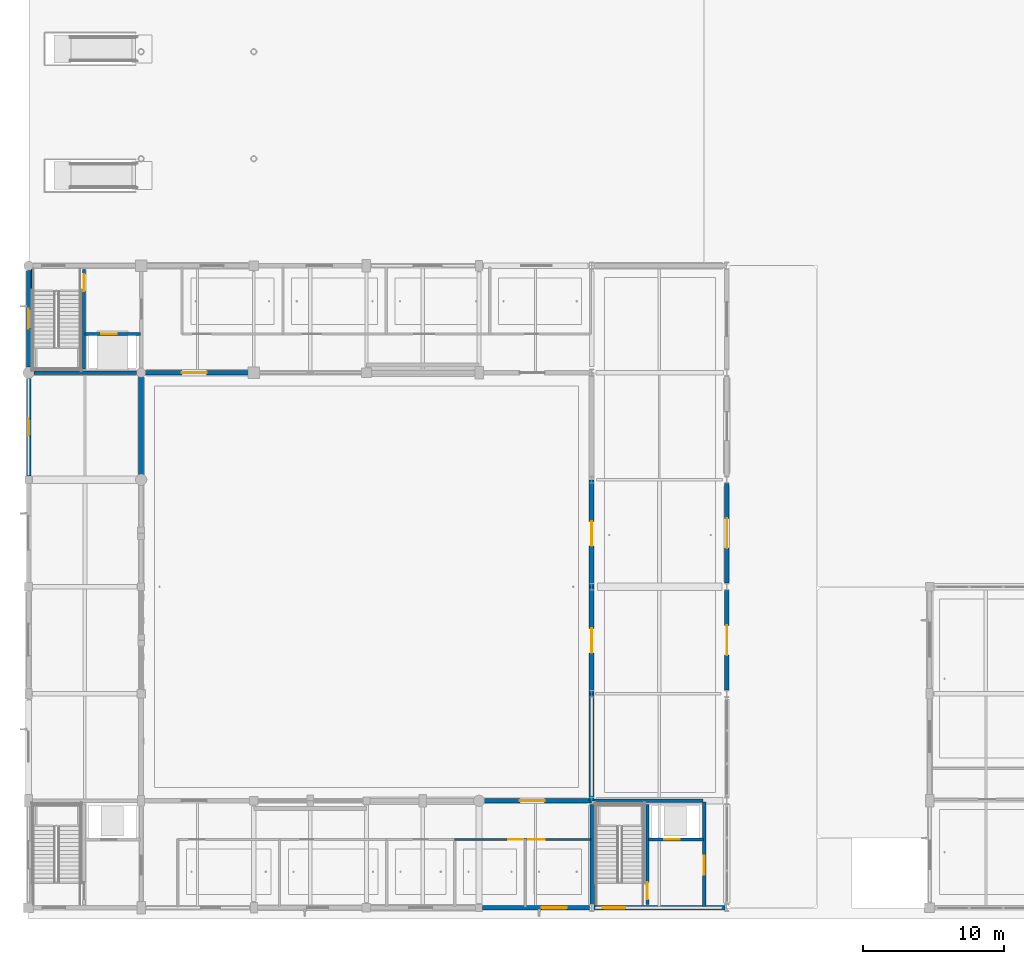
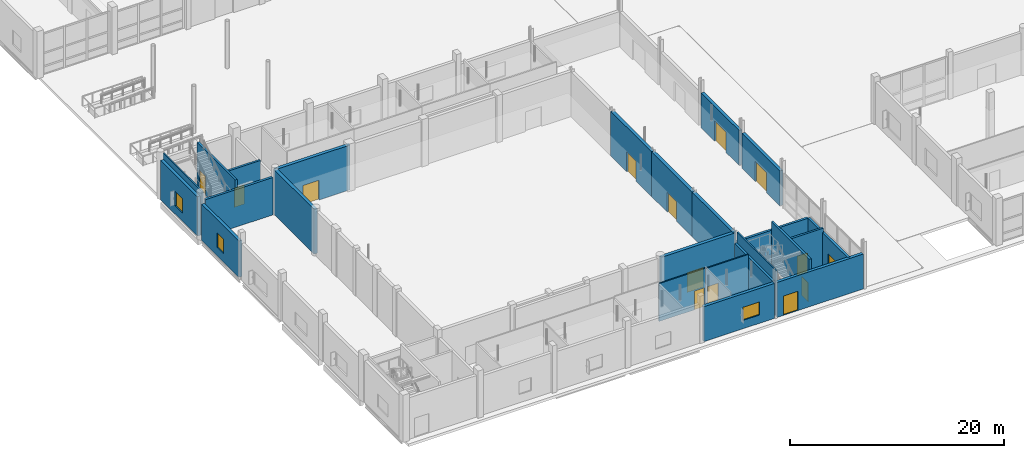
# One storey, part 60 of 126: 24 walls, 14 doors, 3 windows, 17 openings.
"""IFC4 building model written with IfcOpenShell, lengths in metres."""

from ifc_helpers import new_model, si_unit, direction, frame, frame_2d, origin, place, context, subcontext, project, spatial, rectangle, extrude, material, layer, layer_set, type_object, element, fill, save


model = new_model("IFC4")

# Units and contexts
model_context = context("Model", 3, precision=1e-05, world=origin(), true_north=direction((0.0, 1.0)))
body_context = subcontext(model_context, "Body", "Model", "MODEL_VIEW")
ifc_project = project(units=[si_unit("LENGTHUNIT", "METRE"), si_unit("AREAUNIT", "SQUARE_METRE"), si_unit("VOLUMEUNIT", "CUBIC_METRE"), si_unit("PLANEANGLEUNIT", "RADIAN"), si_unit("MASSUNIT", "GRAM", prefix="KILO")], contexts=[model_context])

# Site, building, storey
site_placement = place(None, origin())
site = spatial("IfcSite", under=ifc_project, at=site_placement, CompositionType="ELEMENT")
building_placement = place(site_placement, origin())
building = spatial("IfcBuilding", under=site, at=building_placement, Name="Khelvaren Railside Concert Hall", CompositionType="ELEMENT")
storey_placement = place(building_placement, origin())
storey = spatial("IfcBuildingStorey", under=building, at=storey_placement, Name="L00", CompositionType="ELEMENT", Elevation=0.0)

# Walls
ifc_material_1 = material(Name="Concrete C40/50", Category="concrete")
ifc_layer_1 = layer(ifc_material_1, 0.139892578125)
ifc_layer_set_1 = layer_set([ifc_layer_1], Name="Concrete C40/50")
wall_type_1 = type_object("IfcWallType", Name="CW17", PredefinedType="SOLIDWALL", material=ifc_layer_set_1)
for number, where, z_axis, x_axis, name in (
    (1, (40.27490234375, 0.14990234375, 0.0), (0.0, 0.0, 1.0), (0.0, 1.0, 0.0), "Core Shaft Structural Liner Wall ST-02-L00"),
    (2, (0.27490234375, 38.14990234375, 0.0), (0.0, 0.0, 1.0), (0.0, 1.0, 0.0), "Core Shaft Structural Liner Wall ST-11-L00"),
):
    element("IfcWall", number, at=place(storey_placement, frame(where, z_axis=z_axis, x_axis=x_axis)), inside=storey, type_object=wall_type_1, Name=name, PredefinedType="SOLIDWALL", context=body_context, shape_type="SweptSolid", body=[
        extrude(rectangle(XDim=7.300048828125, YDim=0.139892578125, at=frame_2d((3.64990234375, 0.0))), origin(), (0.0, 0.0, 1.0), 5.10009765625),
    ])
ifc_layer_2 = layer(ifc_material_1, 0.25)
ifc_layer_set_2 = layer_set([ifc_layer_2], Name="Concrete C40/50")
wall_type_2 = type_object("IfcWallType", Name="CW82", PredefinedType="SOLIDWALL", material=ifc_layer_set_2)
wall_1_placement = place(storey_placement, frame((40.0, 0.25, 0.0), z_axis=(0.0, 0.0, 1.0), x_axis=(0.0, 1.0, 0.0)))
element("IfcWall", 3, at=wall_1_placement, inside=storey, type_object=wall_type_2, Name="Core Enclosure Wall CWALL-ST-02-L00-W", PredefinedType="SOLIDWALL", context=body_context, shape_type="SweptSolid", body=[
    extrude(rectangle(XDim=7.10009765625, YDim=0.25, at=frame_2d((3.550048828125, 0.0))), origin(), (0.0, 0.0, 1.0), 3.989990234375),
])
wall_2_placement = place(storey_placement, frame((40.14990234375, 7.60009765625, 0.0), z_axis=(0.0, 0.0, 1.0), x_axis=(1.0, 0.0, 0.0)))
element("IfcWall", 4, at=wall_2_placement, inside=storey, type_object=wall_type_2, Name="Core Enclosure Wall CWALL-ST-02-L00-N", PredefinedType="SOLIDWALL", context=body_context, shape_type="SweptSolid", body=[
    extrude(rectangle(XDim=7.77001953125, YDim=0.25, at=frame_2d((3.885009765625, 0.0))), origin(), (0.0, 0.0, 1.0), 3.989990234375),
])

# Wall, opening, door
wall_3_placement = place(storey_placement, frame((48.0, 0.080078125, 0.0), z_axis=(0.0, 0.0, 1.0), x_axis=(0.0, 1.0, 0.0)))
wall_3 = element("IfcWall", 5, at=wall_3_placement, inside=storey, type_object=wall_type_2, Name="Core Enclosure Wall CWALL-ST-02-L00-E", PredefinedType="SOLIDWALL", context=body_context, shape_type="SweptSolid", body=[
    extrude(rectangle(XDim=7.43994140625, YDim=0.25, at=frame_2d((3.719970703125, 0.0))), origin(), (0.0, 0.0, 1.0), 3.989990234375),
])
opening_1_placement = place(wall_3_placement, frame((2.27001953125, 0.0, 0.0)))
opening_1 = element("IfcOpeningElement", 6, at=opening_1_placement, cuts=wall_3, Name="Opening FDR34", PredefinedType="OPENING", context=body_context, shape_type="SweptSolid", body=[
    extrude(rectangle(XDim=1.35009765625, YDim=2.199951171875, at=frame_2d((0.675048828125, 1.10009765625))), frame((0.0, 0.135009765625, 0.0), z_axis=(0.0, -1.0, 0.0), x_axis=(1.0, 0.0, 0.0)), (0.0, 0.0, 1.0), 0.27001953125),
])
ifc_material_2 = material(Name="Acoustic fire-rated timber-core steel frame door", Category="steel")
door_type_1 = type_object("IfcDoorType", Name="FDR34", OperationType="NOTDEFINED", PredefinedType="DOOR", material=ifc_material_2)
door_1_placement = place(opening_1_placement, origin())
door_1 = element("IfcDoor", 7, at=door_1_placement, inside=storey, type_object=door_type_1, Name="Interior Door DR-ST-02-L00-LOB", OperationType="SINGLE_SWING_LEFT", OverallHeight=2.199951171875, OverallWidth=1.35009765625, PredefinedType="DOOR", context=body_context, shape_type="SweptSolid", body=[
    extrude(rectangle(XDim=1.35009765625, YDim=2.199951171875, at=frame_2d((0.675048828125, 1.10009765625))), frame((0.0, 0.02490234375, 0.0), z_axis=(0.0, -1.0, 0.0), x_axis=(1.0, 0.0, 0.0)), (0.0, 0.0, 1.0), 0.050048828125),
])
fill(opening_1, door_1)

# Wall
wall_4_placement = place(storey_placement, frame((0.39990234375, 38.0, 0.0), z_axis=(0.0, 0.0, 1.0), x_axis=(1.0, 0.0, 0.0)))
element("IfcWall", 8, at=wall_4_placement, inside=storey, type_object=wall_type_2, Name="Core Enclosure Wall CWALL-ST-11-L00-S", PredefinedType="SOLIDWALL", context=body_context, shape_type="SweptSolid", body=[
    extrude(rectangle(XDim=7.275146484375, YDim=0.25, at=frame_2d((3.6376953125, 0.0))), origin(), (0.0, 0.0, 1.0), 4.27490234375),
])

# Wall, opening, door
ifc_layer_3 = layer(ifc_material_1, 0.219970703125)
ifc_layer_set_3 = layer_set([ifc_layer_3], Name="Concrete C40/50")
wall_type_3 = type_object("IfcWallType", Name="CW97", PredefinedType="SOLIDWALL", material=ifc_layer_set_3)
wall_5_placement = place(storey_placement, frame((43.949951171875, 0.25, 0.0), z_axis=(0.0, 0.0, 1.0), x_axis=(0.0, 1.0, 0.0)))
wall_5 = element("IfcWall", 9, at=wall_5_placement, inside=storey, type_object=wall_type_3, Name="Core Enclosure Wall CWALL-ST-02-L00-MID", PredefinedType="SOLIDWALL", context=body_context, shape_type="SweptSolid", body=[
    extrude(rectangle(XDim=7.10009765625, YDim=0.219970703125, at=frame_2d((3.550048828125, 0.0))), origin(), (0.0, 0.0, 1.0), 5.10009765625),
])
opening_2_placement = place(wall_5_placement, frame((0.35009765625, 0.0, 0.0)))
opening_2 = element("IfcOpeningElement", 10, at=opening_2_placement, cuts=wall_5, Name="Opening FDR17", PredefinedType="OPENING", context=body_context, shape_type="SweptSolid", body=[
    extrude(rectangle(XDim=1.199951171875, YDim=2.14990234375, at=frame_2d((0.60009765625, 1.074951171875))), frame((0.0, 0.119873046875, 0.0), z_axis=(0.0, -1.0, 0.0), x_axis=(1.0, 0.0, 0.0)), (0.0, 0.0, 1.0), 0.239990234375),
])
door_type_2 = type_object("IfcDoorType", Name="FDR17", OperationType="NOTDEFINED", PredefinedType="DOOR", material=ifc_material_2)
door_2_placement = place(opening_2_placement, origin())
door_2 = element("IfcDoor", 11, at=door_2_placement, inside=storey, type_object=door_type_2, Name="Interior Door DR-ST-02-L00-ST", OperationType="SINGLE_SWING_RIGHT", OverallHeight=2.14990234375, OverallWidth=1.199951171875, PredefinedType="DOOR", context=body_context, shape_type="SweptSolid", body=[
    extrude(rectangle(XDim=1.199951171875, YDim=2.14990234375, at=frame_2d((0.60009765625, 1.074951171875))), frame((0.0, 0.02490234375, 0.0), z_axis=(0.0, -1.0, 0.0), x_axis=(1.0, 0.0, 0.0)), (0.0, 0.0, 1.0), 0.050048828125),
])
fill(opening_2, door_2)

wall_6_placement = place(storey_placement, frame((44.02001953125, 4.85009765625, 0.0), z_axis=(0.0, 0.0, 1.0), x_axis=(1.0, 0.0, 0.0)))
wall_6 = element("IfcWall", 12, at=wall_6_placement, inside=storey, type_object=wall_type_3, Name="Core Enclosure Wall CWALL-ST-02-L00-SHF", PredefinedType="SOLIDWALL", context=body_context, shape_type="SweptSolid", body=[
    extrude(rectangle(XDim=3.929931640625, YDim=0.219970703125, at=frame_2d((1.96484375, 0.0))), origin(), (0.0, 0.0, 1.0), 4.485107421875),
])
opening_3_placement = place(wall_6_placement, frame((1.14990234375, 0.0, 0.0)))
opening_3 = element("IfcOpeningElement", 13, at=opening_3_placement, cuts=wall_6, Name="Opening LD-PL-01", PredefinedType="OPENING", context=body_context, shape_type="SweptSolid", body=[
    extrude(rectangle(XDim=1.10009765625, YDim=2.199951171875, at=frame_2d((0.550048828125, 1.10009765625))), frame((0.0, 0.119873046875, 0.0), z_axis=(0.0, -1.0, 0.0), x_axis=(1.0, 0.0, 0.0)), (0.0, 0.0, 1.0), 0.239990234375),
])
ifc_material_3 = material(Name="Fire-rated brushed stainless steel landing door", Category="steel")
door_type_3 = type_object("IfcDoorType", Name="LD96", OperationType="DOUBLE_DOOR_SLIDING", PredefinedType="DOOR", material=ifc_material_3)
door_3_placement = place(opening_3_placement, origin())
door_3 = element("IfcDoor", 14, at=door_3_placement, inside=storey, type_object=door_type_3, Name="Lift Landing Door LD-PL-01-L00", OperationType="DOUBLE_DOOR_SLIDING", OverallHeight=2.199951171875, OverallWidth=1.10009765625, PredefinedType="DOOR", context=body_context, shape_type="SweptSolid", body=[
    extrude(rectangle(XDim=1.10009765625, YDim=2.199951171875, at=frame_2d((0.550048828125, 1.10009765625))), frame((0.0, 0.02490234375, 0.0), z_axis=(0.0, -1.0, 0.0), x_axis=(1.0, 0.0, 0.0)), (0.0, 0.0, 1.0), 0.050048828125),
])
fill(opening_3, door_3)

wall_7_placement = place(storey_placement, frame((3.949951171875, 38.25, 0.0), z_axis=(0.0, 0.0, 1.0), x_axis=(0.0, 1.0, 0.0)))
wall_7 = element("IfcWall", 15, at=wall_7_placement, inside=storey, type_object=wall_type_3, Name="Core Enclosure Wall CWALL-ST-11-L00-MID", PredefinedType="SOLIDWALL", context=body_context, shape_type="SweptSolid", body=[
    extrude(rectangle(XDim=7.10009765625, YDim=0.219970703125, at=frame_2d((3.550048828125, 0.0))), origin(), (0.0, 0.0, 1.0), 5.10009765625),
])
opening_4_placement = place(wall_7_placement, frame((5.550048828125, 0.0, 0.0)))
opening_4 = element("IfcOpeningElement", 16, at=opening_4_placement, cuts=wall_7, Name="Opening FDR17", PredefinedType="OPENING", context=body_context, shape_type="SweptSolid", body=[
    extrude(rectangle(XDim=1.199951171875, YDim=2.14990234375, at=frame_2d((0.60009765625, 1.074951171875))), frame((0.0, 0.119873046875, 0.0), z_axis=(0.0, -1.0, 0.0), x_axis=(1.0, 0.0, 0.0)), (0.0, 0.0, 1.0), 0.239990234375),
])
door_4_placement = place(opening_4_placement, origin())
door_4 = element("IfcDoor", 17, at=door_4_placement, inside=storey, type_object=door_type_2, Name="Interior Door DR-ST-11-L00-ST", OperationType="SINGLE_SWING_RIGHT", OverallHeight=2.14990234375, OverallWidth=1.199951171875, PredefinedType="DOOR", context=body_context, shape_type="SweptSolid", body=[
    extrude(rectangle(XDim=1.199951171875, YDim=2.14990234375, at=frame_2d((0.60009765625, 1.074951171875))), frame((0.0, 0.02490234375, 0.0), z_axis=(0.0, -1.0, 0.0), x_axis=(1.0, 0.0, 0.0)), (0.0, 0.0, 1.0), 0.050048828125),
])
fill(opening_4, door_4)

wall_8_placement = place(storey_placement, frame((4.02001953125, 40.75, 0.0), z_axis=(0.0, 0.0, 1.0), x_axis=(1.0, 0.0, 0.0)))
wall_8 = element("IfcWall", 18, at=wall_8_placement, inside=storey, type_object=wall_type_3, Name="Core Enclosure Wall CWALL-ST-11-L00-SHF", PredefinedType="SOLIDWALL", context=body_context, shape_type="SweptSolid", body=[
    extrude(rectangle(XDim=3.929931640625, YDim=0.219970703125, at=frame_2d((1.96484375, 0.0))), origin(), (0.0, 0.0, 1.0), 4.449951171875),
])
opening_5_placement = place(wall_8_placement, frame((1.14990234375, 0.0, 0.0)))
opening_5 = element("IfcOpeningElement", 19, at=opening_5_placement, cuts=wall_8, Name="Opening LD-GL-01", PredefinedType="OPENING", context=body_context, shape_type="SweptSolid", body=[
    extrude(rectangle(XDim=1.10009765625, YDim=2.199951171875, at=frame_2d((0.550048828125, 1.10009765625))), frame((0.0, 0.119873046875, 0.0), z_axis=(0.0, -1.0, 0.0), x_axis=(1.0, 0.0, 0.0)), (0.0, 0.0, 1.0), 0.239990234375),
])
door_5_placement = place(opening_5_placement, origin())
door_5 = element("IfcDoor", 20, at=door_5_placement, inside=storey, type_object=door_type_3, Name="Lift Landing Door LD-GL-01-L00", OperationType="DOUBLE_DOOR_SLIDING", OverallHeight=2.199951171875, OverallWidth=1.10009765625, PredefinedType="DOOR", context=body_context, shape_type="SweptSolid", body=[
    extrude(rectangle(XDim=1.10009765625, YDim=2.199951171875, at=frame_2d((0.550048828125, 1.10009765625))), frame((0.0, 0.02490234375, 0.0), z_axis=(0.0, -1.0, 0.0), x_axis=(1.0, 0.0, 0.0)), (0.0, 0.0, 1.0), 0.050048828125),
])
fill(opening_5, door_5)

# Wall, opening, window
ifc_material_4 = material(Name="Board-marked architectural concrete C40/50", Category="concrete")
ifc_layer_4 = layer(ifc_material_4, 0.320068359375)
ifc_layer_set_4 = layer_set([ifc_layer_4], Name="Board-marked architectural concrete C40/50")
wall_type_4 = type_object("IfcWallType", Name="EW39", PredefinedType="SOLIDWALL", material=ifc_layer_set_4)
wall_9_placement = place(storey_placement, frame((39.85009765625, 0.0, 0.0), z_axis=(0.0, 0.0, 1.0), x_axis=(-1.0, 0.0, 0.0)))
wall_9 = element("IfcWall", 21, at=wall_9_placement, inside=storey, type_object=wall_type_4, Name="V1 L00 Exterior Concrete Wall S-32", PredefinedType="SOLIDWALL", context=body_context, shape_type="SweptSolid", body=[
    extrude(rectangle(XDim=7.60009765625, YDim=0.320068359375, at=frame_2d((3.800048828125, 0.0))), origin(), (0.0, 0.0, 1.0), 3.989990234375),
])
opening_6_placement = place(wall_9_placement, frame((1.610107421875, 0.0, 0.949951171875)))
opening_6 = element("IfcOpeningElement", 22, at=opening_6_placement, cuts=wall_9, Name="Opening WN56", PredefinedType="OPENING", context=body_context, shape_type="SweptSolid", body=[
    extrude(rectangle(XDim=1.800048828125, YDim=1.5, at=frame_2d((0.89990234375, 0.75))), frame((0.0, 0.169921875, 0.0), z_axis=(0.0, -1.0, 0.0), x_axis=(1.0, 0.0, 0.0)), (0.0, 0.0, 1.0), 0.340087890625),
])
ifc_material_5 = material(Name="Triple-glazed acoustic aluminium window", Category="aluminium")
window_type_1 = type_object("IfcWindowType", Name="WN56", PartitioningType="DOUBLE_PANEL_VERTICAL", PredefinedType="WINDOW", material=ifc_material_5)
window_1_placement = place(opening_6_placement, origin())
window_1 = element("IfcWindow", 23, at=window_1_placement, inside=storey, type_object=window_type_1, Name="Acoustic Facade Window EW-V1-L00-S-32", OverallHeight=1.5, OverallWidth=1.800048828125, PartitioningType="DOUBLE_PANEL_VERTICAL", PredefinedType="WINDOW", context=body_context, shape_type="SweptSolid", body=[
    extrude(rectangle(XDim=1.800048828125, YDim=1.5, at=frame_2d((0.89990234375, 0.75))), frame((0.0, 0.030029296875, 0.0), z_axis=(0.0, -1.0, 0.0), x_axis=(1.0, 0.0, 0.0)), (0.0, 0.0, 1.0), 0.06005859375),
])
fill(opening_6, window_1)

# Wall, opening, door
wall_10_placement = place(storey_placement, frame((49.449951171875, 0.0, 0.0), z_axis=(0.0, 0.0, 1.0), x_axis=(-1.0, 0.0, 0.0)))
wall_10 = element("IfcWall", 24, at=wall_10_placement, inside=storey, type_object=wall_type_4, Name="V1 L00 Exterior Concrete Wall S-40", PredefinedType="SOLIDWALL", context=body_context, shape_type="SweptSolid", body=[
    extrude(rectangle(XDim=9.300048828125, YDim=0.320068359375, at=frame_2d((4.64990234375, 0.0))), origin(), (0.0, 0.0, 1.0), 3.989990234375),
])
opening_7_placement = place(wall_10_placement, frame((7.050048828125, 0.0, 0.0)))
opening_7 = element("IfcOpeningElement", 25, at=opening_7_placement, cuts=wall_10, Name="Opening E-ST02", PredefinedType="OPENING", context=body_context, shape_type="SweptSolid", body=[
    extrude(rectangle(XDim=1.60009765625, YDim=2.199951171875, at=frame_2d((0.800048828125, 1.10009765625))), frame((0.0, 0.169921875, 0.0), z_axis=(0.0, -1.0, 0.0), x_axis=(1.0, 0.0, 0.0)), (0.0, 0.0, 1.0), 0.340087890625),
])
ifc_material_6 = material(Name="Acoustic thermally broken steel exit door", Category="steel")
door_type_4 = type_object("IfcDoorType", Name="EDR80", OperationType="NOTDEFINED", PredefinedType="DOOR", material=ifc_material_6)
door_6_placement = place(opening_7_placement, origin())
door_6 = element("IfcDoor", 26, at=door_6_placement, inside=storey, type_object=door_type_4, Name="Final Stair Exit Door E-ST02", OperationType="SINGLE_SWING_LEFT", OverallHeight=2.199951171875, OverallWidth=1.60009765625, PredefinedType="DOOR", context=body_context, shape_type="SweptSolid", body=[
    extrude(rectangle(XDim=1.60009765625, YDim=2.199951171875, at=frame_2d((0.800048828125, 1.10009765625))), frame((0.0, 0.02490234375, 0.0), z_axis=(0.0, -1.0, 0.0), x_axis=(1.0, 0.0, 0.0)), (0.0, 0.0, 1.0), 0.050048828125),
])
fill(opening_7, door_6)

# Wall, opening, window
wall_11_placement = place(storey_placement, frame((0.0, 30.64990234375, 0.0), z_axis=(0.0, 0.0, 1.0), x_axis=(0.0, 1.0, 0.0)))
wall_11 = element("IfcWall", 27, at=wall_11_placement, inside=storey, type_object=wall_type_4, Name="V1 L00 Exterior Concrete Wall W-30", PredefinedType="SOLIDWALL", context=body_context, shape_type="SweptSolid", body=[
    extrude(rectangle(XDim=6.9501953125, YDim=0.320068359375, at=frame_2d((3.47509765625, 0.0))), origin(), (0.0, 0.0, 1.0), 4.139892578125),
])
opening_8_placement = place(wall_11_placement, frame((2.875, 0.0, 0.949951171875)))
opening_8 = element("IfcOpeningElement", 28, at=opening_8_placement, cuts=wall_11, Name="Opening WN89", PredefinedType="OPENING", context=body_context, shape_type="SweptSolid", body=[
    extrude(rectangle(XDim=1.199951171875, YDim=1.64990234375, at=frame_2d((0.60009765625, 0.824951171875))), frame((0.0, 0.169921875, 0.0), z_axis=(0.0, -1.0, 0.0), x_axis=(1.0, 0.0, 0.0)), (0.0, 0.0, 1.0), 0.340087890625),
])
window_type_2 = type_object("IfcWindowType", Name="WN89", PartitioningType="SINGLE_PANEL", PredefinedType="WINDOW", material=ifc_material_5)
window_2_placement = place(opening_8_placement, origin())
window_2 = element("IfcWindow", 29, at=window_2_placement, inside=storey, type_object=window_type_2, Name="Acoustic Facade Window EW-V1-L00-W-30", OverallHeight=1.64990234375, OverallWidth=1.199951171875, PartitioningType="SINGLE_PANEL", PredefinedType="WINDOW", context=body_context, shape_type="SweptSolid", body=[
    extrude(rectangle(XDim=1.199951171875, YDim=1.64990234375, at=frame_2d((0.60009765625, 0.824951171875))), frame((0.0, 0.030029296875, 0.0), z_axis=(0.0, -1.0, 0.0), x_axis=(1.0, 0.0, 0.0)), (0.0, 0.0, 1.0), 0.06005859375),
])
fill(opening_8, window_2)

wall_12_placement = place(storey_placement, frame((0.0, 38.39990234375, 0.0), z_axis=(0.0, 0.0, 1.0), x_axis=(0.0, 1.0, 0.0)))
wall_12 = element("IfcWall", 30, at=wall_12_placement, inside=storey, type_object=wall_type_4, Name="V1 L00 Exterior Concrete Wall W-38", PredefinedType="SOLIDWALL", context=body_context, shape_type="SweptSolid", body=[
    extrude(rectangle(XDim=6.875, YDim=0.320068359375, at=frame_2d((3.4375, 0.0))), origin(), (0.0, 0.0, 1.0), 4.489990234375),
])
opening_9_placement = place(wall_12_placement, frame((2.737548828125, 0.0, 0.949951171875)))
opening_9 = element("IfcOpeningElement", 31, at=opening_9_placement, cuts=wall_12, Name="Opening WN11", PredefinedType="OPENING", context=body_context, shape_type="SweptSolid", body=[
    extrude(rectangle(XDim=1.39990234375, YDim=1.64990234375, at=frame_2d((0.699951171875, 0.824951171875))), frame((0.0, 0.169921875, 0.0), z_axis=(0.0, -1.0, 0.0), x_axis=(1.0, 0.0, 0.0)), (0.0, 0.0, 1.0), 0.340087890625),
])
window_type_3 = type_object("IfcWindowType", Name="WN11", PartitioningType="SINGLE_PANEL", PredefinedType="WINDOW", material=ifc_material_5)
window_3_placement = place(opening_9_placement, origin())
window_3 = element("IfcWindow", 32, at=window_3_placement, inside=storey, type_object=window_type_3, Name="Acoustic Facade Window EW-V1-L00-W-38", OverallHeight=1.64990234375, OverallWidth=1.39990234375, PartitioningType="SINGLE_PANEL", PredefinedType="WINDOW", context=body_context, shape_type="SweptSolid", body=[
    extrude(rectangle(XDim=1.39990234375, YDim=1.64990234375, at=frame_2d((0.699951171875, 0.824951171875))), frame((0.0, 0.030029296875, 0.0), z_axis=(0.0, -1.0, 0.0), x_axis=(1.0, 0.0, 0.0)), (0.0, 0.0, 1.0), 0.06005859375),
])
fill(opening_9, window_3)

# Wall, opening, door
wall_13_placement = place(storey_placement, frame((49.60009765625, 22.550048828125, 0.0), z_axis=(0.0, 0.0, 1.0), x_axis=(0.0, -1.0, 0.0)))
wall_13 = element("IfcWall", 33, at=wall_13_placement, inside=storey, type_object=wall_type_4, Name="V1 L00 Exterior Concrete Wall E-15", PredefinedType="SOLIDWALL", context=body_context, shape_type="SweptSolid", body=[
    extrude(rectangle(XDim=7.10009765625, YDim=0.320068359375, at=frame_2d((3.550048828125, 0.0))), origin(), (0.0, 0.0, 1.0), 3.989990234375),
])
opening_10_placement = place(wall_13_placement, frame((2.5, 0.0, 0.0)))
opening_10 = element("IfcOpeningElement", 34, at=opening_10_placement, cuts=wall_13, Name="Opening E-V1-01", PredefinedType="OPENING", context=body_context, shape_type="SweptSolid", body=[
    extrude(rectangle(XDim=2.10009765625, YDim=2.300048828125, at=frame_2d((1.050048828125, 1.14990234375))), frame((0.0, 0.169921875, 0.0), z_axis=(0.0, -1.0, 0.0), x_axis=(1.0, 0.0, 0.0)), (0.0, 0.0, 1.0), 0.340087890625),
])
ifc_material_7 = material(Name="Anodised bronze glazed entrance door", Category="aluminium")
door_type_5 = type_object("IfcDoorType", Name="EDR49", OperationType="NOTDEFINED", PredefinedType="DOOR", material=ifc_material_7)
door_7_placement = place(opening_10_placement, origin())
door_7 = element("IfcDoor", 35, at=door_7_placement, inside=storey, type_object=door_type_5, Name="Public Entrance Exit Door E-V1-01", OperationType="SINGLE_SWING_LEFT", OverallHeight=2.300048828125, OverallWidth=2.10009765625, PredefinedType="DOOR", context=body_context, shape_type="SweptSolid", body=[
    extrude(rectangle(XDim=2.10009765625, YDim=2.300048828125, at=frame_2d((1.050048828125, 1.14990234375))), frame((0.0, 0.02490234375, 0.0), z_axis=(0.0, -1.0, 0.0), x_axis=(1.0, 0.0, 0.0)), (0.0, 0.0, 1.0), 0.050048828125),
])
fill(opening_10, door_7)

wall_14_placement = place(storey_placement, frame((49.60009765625, 30.14990234375, 0.0), z_axis=(0.0, 0.0, 1.0), x_axis=(0.0, -1.0, 0.0)))
wall_14 = element("IfcWall", 36, at=wall_14_placement, inside=storey, type_object=wall_type_4, Name="V1 L00 Exterior Concrete Wall E-23", PredefinedType="SOLIDWALL", context=body_context, shape_type="SweptSolid", body=[
    extrude(rectangle(XDim=7.099853515625, YDim=0.320068359375, at=frame_2d((3.5498046875, 0.0))), origin(), (0.0, 0.0, 1.0), 3.989990234375),
])
opening_11_placement = place(wall_14_placement, frame((2.5, 0.0, 0.0)))
opening_11 = element("IfcOpeningElement", 37, at=opening_11_placement, cuts=wall_14, Name="Opening E-V1-02", PredefinedType="OPENING", context=body_context, shape_type="SweptSolid", body=[
    extrude(rectangle(XDim=2.10009765625, YDim=2.300048828125, at=frame_2d((1.050048828125, 1.14990234375))), frame((0.0, 0.169921875, 0.0), z_axis=(0.0, -1.0, 0.0), x_axis=(1.0, 0.0, 0.0)), (0.0, 0.0, 1.0), 0.340087890625),
])
door_8_placement = place(opening_11_placement, origin())
door_8 = element("IfcDoor", 38, at=door_8_placement, inside=storey, type_object=door_type_5, Name="Public Entrance Exit Door E-V1-02", OperationType="SINGLE_SWING_RIGHT", OverallHeight=2.300048828125, OverallWidth=2.10009765625, PredefinedType="DOOR", context=body_context, shape_type="SweptSolid", body=[
    extrude(rectangle(XDim=2.10009765625, YDim=2.300048828125, at=frame_2d((1.050048828125, 1.14990234375))), frame((0.0, 0.02490234375, 0.0), z_axis=(0.0, -1.0, 0.0), x_axis=(1.0, 0.0, 0.0)), (0.0, 0.0, 1.0), 0.050048828125),
])
fill(opening_11, door_8)

ifc_material_8 = material(Name="Acoustic double-stud gypsum partition", Category="gypsum")
ifc_layer_5 = layer(ifc_material_8, 0.139892578125)
ifc_layer_set_5 = layer_set([ifc_layer_5], Name="Acoustic double-stud gypsum partition")
wall_type_5 = type_object("IfcWallType", Name="PT55", PredefinedType="PARTITIONING", material=ifc_layer_set_5)
wall_15_placement = place(storey_placement, frame((30.27001953125, 4.85009765625, 0.0), z_axis=(0.0, 0.0, 1.0), x_axis=(1.0, 0.0, 0.0)))
wall_15 = element("IfcWall", 39, at=wall_15_placement, inside=storey, type_object=wall_type_5, Name="Acoustic Partition Wall PW-V1-L00-S0-C04", PredefinedType="PARTITIONING", context=body_context, shape_type="SweptSolid", body=[
    extrude(rectangle(XDim=5.010009765625, YDim=0.139892578125, at=frame_2d((2.5048828125, 0.0))), origin(), (0.0, 0.0, 1.0), 4.324951171875),
])
opening_12_placement = place(wall_15_placement, frame((3.7900390625, 0.0, 0.0)))
opening_12 = element("IfcOpeningElement", 40, at=opening_12_placement, cuts=wall_15, Name="Opening IDR62", PredefinedType="OPENING", context=body_context, shape_type="SweptSolid", body=[
    extrude(rectangle(XDim=1.070068359375, YDim=2.14990234375, at=frame_2d((0.53515625, 1.074951171875))), frame((0.0, 0.079833984375, 0.0), z_axis=(0.0, -1.0, 0.0), x_axis=(1.0, 0.0, 0.0)), (0.0, 0.0, 1.0), 0.159912109375),
])
ifc_material_9 = material(Name="Solid oak acoustic studio door", Category="wood")
door_type_6 = type_object("IfcDoorType", Name="IDR62", OperationType="NOTDEFINED", PredefinedType="DOOR", material=ifc_material_9)
door_9_placement = place(opening_12_placement, origin())
door_9 = element("IfcDoor", 41, at=door_9_placement, inside=storey, type_object=door_type_6, Name="Interior Door DR-V1-L00-S0-04", OperationType="SINGLE_SWING_RIGHT", OverallHeight=2.14990234375, OverallWidth=1.070068359375, PredefinedType="DOOR", context=body_context, shape_type="SweptSolid", body=[
    extrude(rectangle(XDim=1.070068359375, YDim=2.14990234375, at=frame_2d((0.53515625, 1.074951171875))), frame((0.0, 0.02490234375, 0.0), z_axis=(0.0, -1.0, 0.0), x_axis=(1.0, 0.0, 0.0)), (0.0, 0.0, 1.0), 0.050048828125),
])
fill(opening_12, door_9)

wall_16_placement = place(storey_placement, frame((35.280029296875, 4.85009765625, 0.0), z_axis=(0.0, 0.0, 1.0), x_axis=(1.0, 0.0, 0.0)))
wall_16 = element("IfcWall", 42, at=wall_16_placement, inside=storey, type_object=wall_type_5, Name="Acoustic Partition Wall PW-V1-L00-S0-C05", PredefinedType="PARTITIONING", context=body_context, shape_type="SweptSolid", body=[
    extrude(rectangle(XDim=4.639892578125, YDim=0.139892578125, at=frame_2d((2.31982421875, 0.0))), origin(), (0.0, 0.0, 1.0), 4.27490234375),
])
opening_13_placement = place(wall_16_placement, frame((0.219970703125, 0.0, 0.0)))
opening_13 = element("IfcOpeningElement", 43, at=opening_13_placement, cuts=wall_16, Name="Opening IDR73", PredefinedType="OPENING", context=body_context, shape_type="SweptSolid", body=[
    extrude(rectangle(XDim=1.14990234375, YDim=2.14990234375, at=frame_2d((0.574951171875, 1.074951171875))), frame((0.0, 0.079833984375, 0.0), z_axis=(0.0, -1.0, 0.0), x_axis=(1.0, 0.0, 0.0)), (0.0, 0.0, 1.0), 0.159912109375),
])
door_type_7 = type_object("IfcDoorType", Name="IDR73", OperationType="NOTDEFINED", PredefinedType="DOOR", material=ifc_material_9)
door_10_placement = place(opening_13_placement, origin())
door_10 = element("IfcDoor", 44, at=door_10_placement, inside=storey, type_object=door_type_7, Name="Interior Door DR-V1-L00-S0-05", OperationType="SINGLE_SWING_LEFT", OverallHeight=2.14990234375, OverallWidth=1.14990234375, PredefinedType="DOOR", context=body_context, shape_type="SweptSolid", body=[
    extrude(rectangle(XDim=1.14990234375, YDim=2.14990234375, at=frame_2d((0.574951171875, 1.074951171875))), frame((0.0, 0.02490234375, 0.0), z_axis=(0.0, -1.0, 0.0), x_axis=(1.0, 0.0, 0.0)), (0.0, 0.0, 1.0), 0.050048828125),
])
fill(opening_13, door_10)

ifc_layer_6 = layer(ifc_material_1, 0.35009765625)
ifc_layer_set_6 = layer_set([ifc_layer_6], Name="Concrete C40/50")
wall_type_6 = type_object("IfcWallType", Name="SW91", PredefinedType="SHEAR", material=ifc_layer_set_6)
wall_17_placement = place(storey_placement, frame((32.0, 7.60009765625, 0.0), z_axis=(0.0, 0.0, 1.0), x_axis=(1.0, 0.0, 0.0)))
wall_17 = element("IfcWall", 45, at=wall_17_placement, inside=storey, type_object=wall_type_6, Name="V1 Acoustic Box Shear Wall L00 S4", PredefinedType="SHEAR", context=body_context, shape_type="SweptSolid", body=[
    extrude(rectangle(XDim=8.0, YDim=0.35009765625, at=frame_2d((4.0, 0.0))), origin(), (0.0, 0.0, 1.0), 5.10009765625),
])
opening_14_placement = place(wall_17_placement, frame((2.89990234375, 0.0, 0.0)))
opening_14 = element("IfcOpeningElement", 46, at=opening_14_placement, cuts=wall_17, Name="Opening ADR83", PredefinedType="OPENING", context=body_context, shape_type="SweptSolid", body=[
    extrude(rectangle(XDim=1.75, YDim=2.25, at=frame_2d((0.875, 1.125))), frame((0.0, 0.18505859375, 0.0), z_axis=(0.0, -1.0, 0.0), x_axis=(1.0, 0.0, 0.0)), (0.0, 0.0, 1.0), 0.3701171875),
])
ifc_material_10 = material(Name="Heavy acoustic double sound-lock fire door", Category="wood")
door_type_8 = type_object("IfcDoorType", Name="ADR83", OperationType="DOUBLE_DOOR_SINGLE_SWING", PredefinedType="DOOR", material=ifc_material_10)
door_11_placement = place(opening_14_placement, origin())
door_11 = element("IfcDoor", 47, at=door_11_placement, inside=storey, type_object=door_type_8, Name="Main Concert Hall Acoustic Sound-Lock Door L00-S4", OperationType="DOUBLE_DOOR_SINGLE_SWING", OverallHeight=2.25, OverallWidth=1.75, PredefinedType="DOOR", context=body_context, shape_type="SweptSolid", body=[
    extrude(rectangle(XDim=1.75, YDim=2.25, at=frame_2d((0.875, 1.125))), frame((0.0, 0.02490234375, 0.0), z_axis=(0.0, -1.0, 0.0), x_axis=(1.0, 0.0, 0.0)), (0.0, 0.0, 1.0), 0.050048828125),
])
fill(opening_14, door_11)

wall_18_placement = place(storey_placement, frame((8.0, 38.0, 0.0), z_axis=(0.0, 0.0, 1.0), x_axis=(1.0, 0.0, 0.0)))
wall_18 = element("IfcWall", 48, at=wall_18_placement, inside=storey, type_object=wall_type_6, Name="V1 Acoustic Box Shear Wall L00 N1", PredefinedType="SHEAR", context=body_context, shape_type="SweptSolid", body=[
    extrude(rectangle(XDim=8.0, YDim=0.35009765625, at=frame_2d((4.0, 0.0))), origin(), (0.0, 0.0, 1.0), 5.10009765625),
])
opening_15_placement = place(wall_18_placement, frame((2.89990234375, 0.0, 0.0)))
opening_15 = element("IfcOpeningElement", 49, at=opening_15_placement, cuts=wall_18, Name="Opening ADR83", PredefinedType="OPENING", context=body_context, shape_type="SweptSolid", body=[
    extrude(rectangle(XDim=1.75, YDim=2.25, at=frame_2d((0.875, 1.125))), frame((0.0, 0.18505859375, 0.0), z_axis=(0.0, -1.0, 0.0), x_axis=(1.0, 0.0, 0.0)), (0.0, 0.0, 1.0), 0.3701171875),
])
door_12_placement = place(opening_15_placement, origin())
door_12 = element("IfcDoor", 50, at=door_12_placement, inside=storey, type_object=door_type_8, Name="Main Concert Hall Acoustic Sound-Lock Door L00-N1", OperationType="DOUBLE_DOOR_SINGLE_SWING", OverallHeight=2.25, OverallWidth=1.75, PredefinedType="DOOR", context=body_context, shape_type="SweptSolid", body=[
    extrude(rectangle(XDim=1.75, YDim=2.25, at=frame_2d((0.875, 1.125))), frame((0.0, 0.02490234375, 0.0), z_axis=(0.0, -1.0, 0.0), x_axis=(1.0, 0.0, 0.0)), (0.0, 0.0, 1.0), 0.050048828125),
])
fill(opening_15, door_12)

# Walls
wall_19_placement = place(storey_placement, frame((8.0, 30.39990234375, 0.0), z_axis=(0.0, 0.0, 1.0), x_axis=(0.0, 1.0, 0.0)))
element("IfcWall", 51, at=wall_19_placement, inside=storey, type_object=wall_type_6, Name="V1 Acoustic Box Shear Wall L00 W4", PredefinedType="SHEAR", context=body_context, shape_type="SweptSolid", body=[
    extrude(rectangle(XDim=7.60009765625, YDim=0.35009765625, at=frame_2d((3.800048828125, 0.0))), origin(), (0.0, 0.0, 1.0), 5.10009765625),
])
wall_20_placement = place(storey_placement, frame((40.0, 7.60009765625, 0.0), z_axis=(0.0, 0.0, 1.0), x_axis=(0.0, 1.0, 0.0)))
element("IfcWall", 52, at=wall_20_placement, inside=storey, type_object=wall_type_6, Name="V1 Acoustic Box Shear Wall L00 E1", PredefinedType="SHEAR", context=body_context, shape_type="SweptSolid", body=[
    extrude(rectangle(XDim=7.599853515625, YDim=0.35009765625, at=frame_2d((3.7998046875, 0.0))), origin(), (0.0, 0.0, 1.0), 5.10009765625),
])

# Wall, opening, door
wall_21_placement = place(storey_placement, frame((40.0, 15.199951171875, 0.0), z_axis=(0.0, 0.0, 1.0), x_axis=(0.0, 1.0, 0.0)))
wall_21 = element("IfcWall", 53, at=wall_21_placement, inside=storey, type_object=wall_type_6, Name="V1 Acoustic Box Shear Wall L00 E2", PredefinedType="SHEAR", context=body_context, shape_type="SweptSolid", body=[
    extrude(rectangle(XDim=7.60009765625, YDim=0.35009765625, at=frame_2d((3.800048828125, 0.0))), origin(), (0.0, 0.0, 1.0), 5.10009765625),
])
opening_16_placement = place(wall_21_placement, frame((2.89990234375, 0.0, 0.0)))
opening_16 = element("IfcOpeningElement", 54, at=opening_16_placement, cuts=wall_21, Name="Opening ADR83", PredefinedType="OPENING", context=body_context, shape_type="SweptSolid", body=[
    extrude(rectangle(XDim=1.75, YDim=2.25, at=frame_2d((0.875, 1.125))), frame((0.0, 0.18505859375, 0.0), z_axis=(0.0, -1.0, 0.0), x_axis=(1.0, 0.0, 0.0)), (0.0, 0.0, 1.0), 0.3701171875),
])
door_13_placement = place(opening_16_placement, origin())
door_13 = element("IfcDoor", 55, at=door_13_placement, inside=storey, type_object=door_type_8, Name="Main Concert Hall Acoustic Sound-Lock Door L00-E2", OperationType="DOUBLE_DOOR_SINGLE_SWING", OverallHeight=2.25, OverallWidth=1.75, PredefinedType="DOOR", context=body_context, shape_type="SweptSolid", body=[
    extrude(rectangle(XDim=1.75, YDim=2.25, at=frame_2d((0.875, 1.125))), frame((0.0, 0.02490234375, 0.0), z_axis=(0.0, -1.0, 0.0), x_axis=(1.0, 0.0, 0.0)), (0.0, 0.0, 1.0), 0.050048828125),
])
fill(opening_16, door_13)

wall_22_placement = place(storey_placement, frame((40.0, 22.800048828125, 0.0), z_axis=(0.0, 0.0, 1.0), x_axis=(0.0, 1.0, 0.0)))
wall_22 = element("IfcWall", 56, at=wall_22_placement, inside=storey, type_object=wall_type_6, Name="V1 Acoustic Box Shear Wall L00 E3", PredefinedType="SHEAR", context=body_context, shape_type="SweptSolid", body=[
    extrude(rectangle(XDim=7.599853515625, YDim=0.35009765625, at=frame_2d((3.7998046875, 0.0))), origin(), (0.0, 0.0, 1.0), 5.10009765625),
])
opening_17_placement = place(wall_22_placement, frame((2.89990234375, 0.0, 0.0)))
opening_17 = element("IfcOpeningElement", 57, at=opening_17_placement, cuts=wall_22, Name="Opening ADR83", PredefinedType="OPENING", context=body_context, shape_type="SweptSolid", body=[
    extrude(rectangle(XDim=1.75, YDim=2.25, at=frame_2d((0.875, 1.125))), frame((0.0, 0.18505859375, 0.0), z_axis=(0.0, -1.0, 0.0), x_axis=(1.0, 0.0, 0.0)), (0.0, 0.0, 1.0), 0.3701171875),
])
door_14_placement = place(opening_17_placement, origin())
door_14 = element("IfcDoor", 58, at=door_14_placement, inside=storey, type_object=door_type_8, Name="Main Concert Hall Acoustic Sound-Lock Door L00-E3", OperationType="DOUBLE_DOOR_SINGLE_SWING", OverallHeight=2.25, OverallWidth=1.75, PredefinedType="DOOR", context=body_context, shape_type="SweptSolid", body=[
    extrude(rectangle(XDim=1.75, YDim=2.25, at=frame_2d((0.875, 1.125))), frame((0.0, 0.02490234375, 0.0), z_axis=(0.0, -1.0, 0.0), x_axis=(1.0, 0.0, 0.0)), (0.0, 0.0, 1.0), 0.050048828125),
])
fill(opening_17, door_14)

save(model, "model.ifc")
